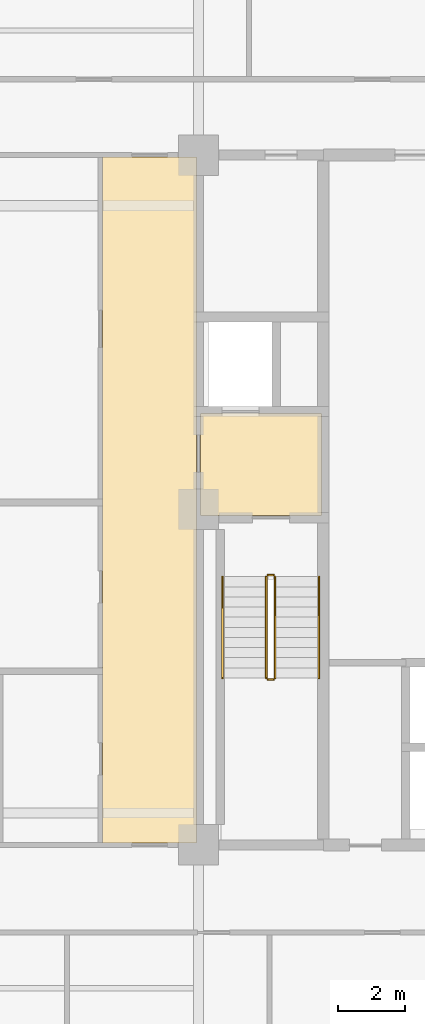
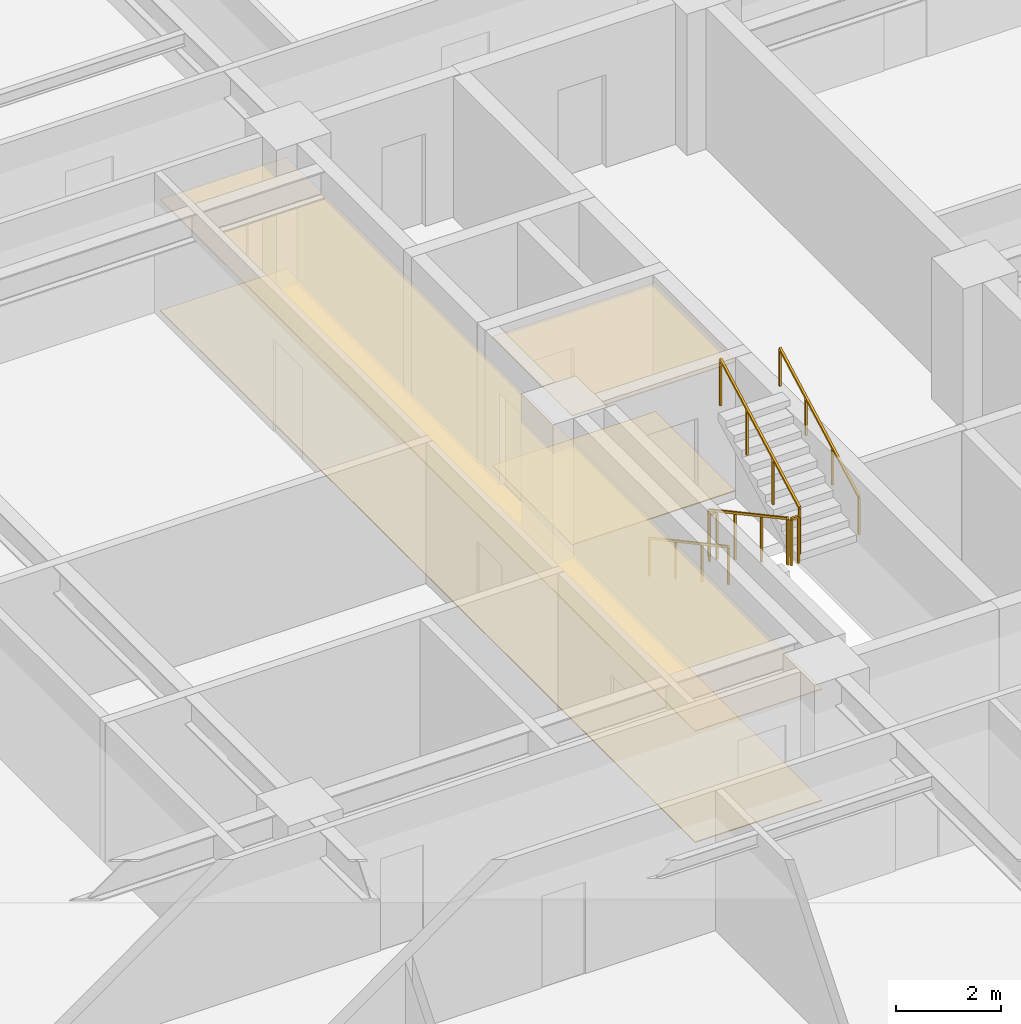
# One storey, part 12 of 14: 6 railings, 4 coverings.
"""IFC4 building model written with IfcOpenShell, lengths in metres."""

from ifc_helpers import new_model, si_unit, direction, frame, origin, origin_2d, place, context, subcontext, project, spatial, polyline, rectangle, outline, extrude, material, layer, layer_set, type_object, element, save


model = new_model("IFC4")

# Units and contexts
model_context = context("Model", 3, precision=1e-05, world=origin(), true_north=direction((0.0, 1.0)))
body_context = subcontext(model_context, "Body", "Model", "MODEL_VIEW")
ifc_project = project(units=[si_unit("LENGTHUNIT", "METRE"), si_unit("AREAUNIT", "SQUARE_METRE"), si_unit("VOLUMEUNIT", "CUBIC_METRE"), si_unit("PLANEANGLEUNIT", "RADIAN"), si_unit("MASSUNIT", "GRAM", prefix="KILO")], contexts=[model_context])

# Site, building, storey
site_placement = place(None, origin())
site = spatial("IfcSite", under=ifc_project, at=site_placement, CompositionType="ELEMENT")
building_placement = place(site_placement, origin())
building = spatial("IfcBuilding", under=site, at=building_placement, Name="Zulmaris Gate Convention Tower", CompositionType="ELEMENT")
storey_placement = place(building_placement, frame((0.0, 0.0, 30.77001953125)))
storey = spatial("IfcBuildingStorey", under=building, at=storey_placement, Name="L06", CompositionType="ELEMENT", Elevation=30.77001953125)

# Coverings
ifc_material_1 = material(Name="Mineral Fibre Acoustic Ceiling Tile")
ifc_layer_1 = layer(ifc_material_1, 0.02001953125, Name="Mineral Fibre Acoustic Ceiling Tile")
ifc_layer_set_1 = layer_set([ifc_layer_1], Name="Mineral Fibre Acoustic Ceiling Tile")
covering_type_1 = type_object("IfcCoveringType", Name="CLG-ACOUSTIC-600", PredefinedType="CEILING", material=ifc_layer_set_1)
covering_1_placement = place(storey_placement, frame((0.0, 0.0, 2.989990234375)))
element("IfcCovering", 1, at=covering_1_placement, inside=storey, type_object=covering_type_1, Name="CLG-L06-R08", PredefinedType="CEILING", context=body_context, shape_type="SweptSolid", body=[
    extrude(outline(polyline([(11.06005859375, -0.18994140625), (14.639892578125, -0.18994140625), (14.639892578125, 2.840087890625), (11.06005859375, 2.840087890625), (11.06005859375, -0.18994140625)])), origin(), (0.0, 0.0, 1.0), 0.02001953125),
])
covering_2_placement = place(storey_placement, frame((0.0, 0.0, 2.578125)))
element("IfcCovering", 2, at=covering_2_placement, inside=storey, type_object=covering_type_1, Name="CLG-L06-R29", PredefinedType="CEILING", context=body_context, shape_type="SweptSolid", body=[
    extrude(outline(polyline([(8.159912109375, -9.889892578125), (10.93994140625, -9.889892578125), (10.93994140625, 10.43994140625), (8.159912109375, 10.43994140625), (8.159912109375, -9.889892578125)])), origin(), (0.0, 0.0, 1.0), 0.02001953125),
])
ifc_material_2 = material(Name="Woven Acoustic Wool Carpet Tile")
ifc_layer_2 = layer(ifc_material_2, 0.02001953125, Name="Woven Acoustic Wool Carpet Tile")
ifc_layer_set_2 = layer_set([ifc_layer_2], Name="Woven Acoustic Wool Carpet Tile")
covering_type_2 = type_object("IfcCoveringType", Name="FLR-CARPET-12", PredefinedType="FLOORING", material=ifc_layer_set_2)
covering_3_placement = place(storey_placement, origin())
element("IfcCovering", 3, at=covering_3_placement, inside=storey, type_object=covering_type_2, Name="FLR-L06-R08", PredefinedType="FLOORING", context=body_context, shape_type="SweptSolid", body=[
    extrude(outline(polyline([(11.06005859375, -0.18994140625), (14.639892578125, -0.18994140625), (14.639892578125, 2.840087890625), (11.06005859375, 2.840087890625), (11.06005859375, -0.18994140625)])), origin(), (0.0, 0.0, 1.0), 0.02001953125),
])
covering_4_placement = place(storey_placement, origin())
element("IfcCovering", 4, at=covering_4_placement, inside=storey, type_object=covering_type_2, Name="FLR-L06-R29", PredefinedType="FLOORING", context=body_context, shape_type="SweptSolid", body=[
    extrude(outline(polyline([(8.159912109375, -9.889892578125), (10.93994140625, -9.889892578125), (10.93994140625, 10.43994140625), (8.159912109375, 10.43994140625), (8.159912109375, -9.889892578125)])), origin(), (0.0, 0.0, 1.0), 0.02001953125),
])

# Railings
ifc_material_3 = material(Name="Painted Galvanised Steel", Category="steel")
railing_type_1 = type_object("IfcRailingType", Name="RL-STG-1150", PredefinedType="GUARDRAIL", material=ifc_material_3)
railing_1_placement = place(storey_placement, frame((13.010009765625, -2.0, 0.162353515625)))
element("IfcRailing", 5, at=railing_1_placement, inside=storey, type_object=railing_type_1, Name="L06 ST-2 stair guard 1", PredefinedType="GUARDRAIL", context=body_context, shape_type="SweptSolid", body=[
    extrude(rectangle(XDim=0.048095703125, YDim=0.048095703125, at=origin_2d()), frame((0.0, 0.0, 1.076171875), z_axis=(0.0, -0.879591569277, 0.475729619907), x_axis=(1.0, 0.0, 0.0)), (0.0, 0.0, 1.0), 3.41064453125),
    extrude(rectangle(XDim=0.0419921875, YDim=0.0419921875, at=origin_2d()), origin(), (0.0, 0.0, 1.0), 1.052001953125),
    extrude(rectangle(XDim=0.0419921875, YDim=0.0419921875, at=origin_2d()), frame((0.0, -1.0, 0.540771484375)), (0.0, 0.0, 1.0), 1.052001953125),
    extrude(rectangle(XDim=0.0419921875, YDim=0.0419921875, at=origin_2d()), frame((0.0, -2.0, 1.081787109375)), (0.0, 0.0, 1.0), 1.052001953125),
    extrude(rectangle(XDim=0.0419921875, YDim=0.0419921875, at=origin_2d()), frame((0.0, -3.0, 1.62255859375)), (0.0, 0.0, 1.0), 1.052001953125),
])
railing_2_placement = place(storey_placement, frame((13.06005859375, -5.050048828125, 1.784912109375)))
element("IfcRailing", 6, at=railing_2_placement, inside=storey, type_object=railing_type_1, Name="L06 ST-2 stair guard 2", PredefinedType="GUARDRAIL", context=body_context, shape_type="SweptSolid", body=[
    extrude(rectangle(XDim=0.048095703125, YDim=0.048095703125, at=origin_2d()), frame((0.0, 0.0, 1.076171875), z_axis=(1.0, 0.0, 0.0), x_axis=(0.0, 1.0, 0.0)), (0.0, 0.0, 1.0), 0.159912109375),
    extrude(rectangle(XDim=0.0419921875, YDim=0.0419921875, at=origin_2d()), origin(), (0.0, 0.0, 1.0), 1.052001953125),
    extrude(rectangle(XDim=0.0419921875, YDim=0.0419921875, at=origin_2d()), frame((0.159912109375, 0.0, 0.0)), (0.0, 0.0, 1.0), 1.052001953125),
])
railing_3_placement = place(storey_placement, frame((13.27001953125, -5.0, 1.947265625)))
element("IfcRailing", 7, at=railing_3_placement, inside=storey, type_object=railing_type_1, Name="L06 ST-2 stair guard 3", PredefinedType="GUARDRAIL", context=body_context, shape_type="SweptSolid", body=[
    extrude(rectangle(XDim=0.048095703125, YDim=0.048095703125, at=origin_2d()), frame((0.0, 0.0, 1.076171875), z_axis=(0.0, 0.8795616155, 0.475784998228), x_axis=(-1.0, 0.0, 0.0)), (0.0, 0.0, 1.0), 3.410888671875),
    extrude(rectangle(XDim=0.0419921875, YDim=0.0419921875, at=origin_2d()), origin(), (0.0, 0.0, 1.0), 1.052001953125),
    extrude(rectangle(XDim=0.0419921875, YDim=0.0419921875, at=origin_2d()), frame((0.0, 1.0, 0.541015625)), (0.0, 0.0, 1.0), 1.052001953125),
    extrude(rectangle(XDim=0.0419921875, YDim=0.0419921875, at=origin_2d()), frame((0.0, 2.0, 1.081787109375)), (0.0, 0.0, 1.0), 1.052001953125),
    extrude(rectangle(XDim=0.0419921875, YDim=0.0419921875, at=origin_2d()), frame((0.0, 3.0, 1.622802734375)), (0.0, 0.0, 1.0), 1.052001953125),
])
railing_4_placement = place(storey_placement, frame((13.06005859375, -1.949951171875, 0.0)))
element("IfcRailing", 8, at=railing_4_placement, inside=storey, type_object=railing_type_1, Name="L06 ST-2 stair guard 4", PredefinedType="GUARDRAIL", context=body_context, shape_type="SweptSolid", body=[
    extrude(rectangle(XDim=0.048095703125, YDim=0.048095703125, at=origin_2d()), frame((0.0, 0.0, 1.076171875), z_axis=(1.0, 0.0, 0.0), x_axis=(0.0, 1.0, 0.0)), (0.0, 0.0, 1.0), 0.159912109375),
    extrude(rectangle(XDim=0.0419921875, YDim=0.0419921875, at=origin_2d()), origin(), (0.0, 0.0, 1.0), 1.052001953125),
    extrude(rectangle(XDim=0.0419921875, YDim=0.0419921875, at=origin_2d()), frame((0.159912109375, 0.0, 0.0)), (0.0, 0.0, 1.0), 1.052001953125),
])
ifc_material_4 = material(Name="Brushed Stainless Steel", Category="steel")
railing_type_2 = type_object("IfcRailingType", Name="RL-STH-900", PredefinedType="HANDRAIL", material=ifc_material_4)
railing_5_placement = place(storey_placement, frame((11.7099609375, -2.0, 0.162353515625)))
element("IfcRailing", 9, at=railing_5_placement, inside=storey, type_object=railing_type_2, Name="L06 ST-2 stair handrail 1", PredefinedType="HANDRAIL", context=body_context, shape_type="SweptSolid", body=[
    extrude(rectangle(XDim=0.048095703125, YDim=0.048095703125, at=origin_2d()), frame((0.0, 0.0, 0.8759765625), z_axis=(0.0, -0.879591569277, 0.475729619907), x_axis=(1.0, 0.0, 0.0)), (0.0, 0.0, 1.0), 3.41064453125),
    extrude(rectangle(XDim=0.0419921875, YDim=0.0419921875, at=origin_2d()), origin(), (0.0, 0.0, 1.0), 0.851806640625),
    extrude(rectangle(XDim=0.0419921875, YDim=0.0419921875, at=origin_2d()), frame((0.0, -1.0, 0.540771484375)), (0.0, 0.0, 1.0), 0.851806640625),
    extrude(rectangle(XDim=0.0419921875, YDim=0.0419921875, at=origin_2d()), frame((0.0, -2.0, 1.081787109375)), (0.0, 0.0, 1.0), 0.851806640625),
    extrude(rectangle(XDim=0.0419921875, YDim=0.0419921875, at=origin_2d()), frame((0.0, -3.0, 1.62255859375)), (0.0, 0.0, 1.0), 0.851806640625),
])
railing_6_placement = place(storey_placement, frame((14.570068359375, -5.0, 1.947265625)))
element("IfcRailing", 10, at=railing_6_placement, inside=storey, type_object=railing_type_2, Name="L06 ST-2 stair handrail 2", PredefinedType="HANDRAIL", context=body_context, shape_type="SweptSolid", body=[
    extrude(rectangle(XDim=0.048095703125, YDim=0.048095703125, at=origin_2d()), frame((0.0, 0.0, 0.8759765625), z_axis=(0.0, 0.8795616155, 0.475784998228), x_axis=(-1.0, 0.0, 0.0)), (0.0, 0.0, 1.0), 3.410888671875),
    extrude(rectangle(XDim=0.0419921875, YDim=0.0419921875, at=origin_2d()), origin(), (0.0, 0.0, 1.0), 0.851806640625),
    extrude(rectangle(XDim=0.0419921875, YDim=0.0419921875, at=origin_2d()), frame((0.0, 1.0, 0.541015625)), (0.0, 0.0, 1.0), 0.851806640625),
    extrude(rectangle(XDim=0.0419921875, YDim=0.0419921875, at=origin_2d()), frame((0.0, 2.0, 1.081787109375)), (0.0, 0.0, 1.0), 0.851806640625),
    extrude(rectangle(XDim=0.0419921875, YDim=0.0419921875, at=origin_2d()), frame((0.0, 3.0, 1.622802734375)), (0.0, 0.0, 1.0), 0.851806640625),
])

save(model, "model.ifc")
